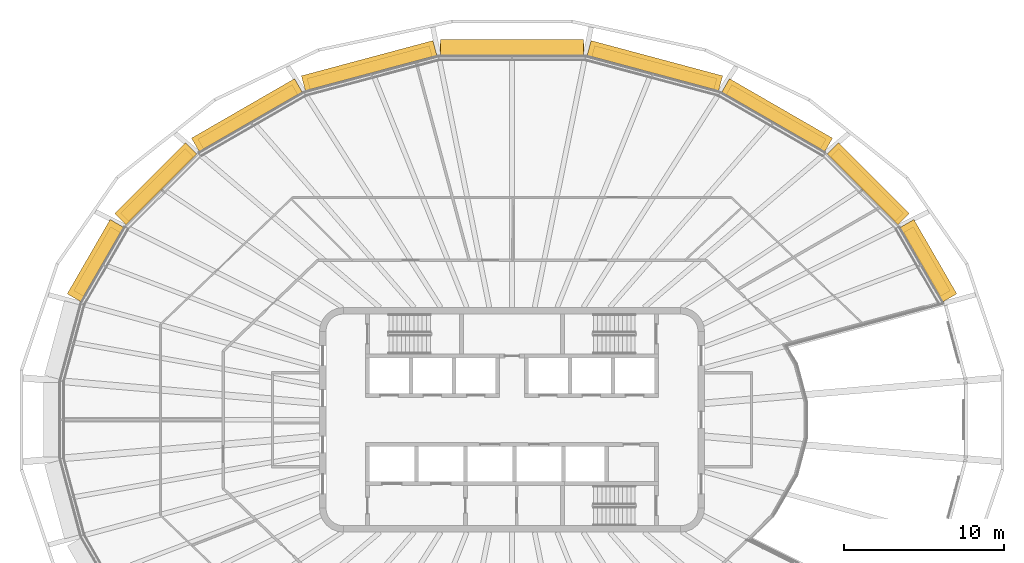
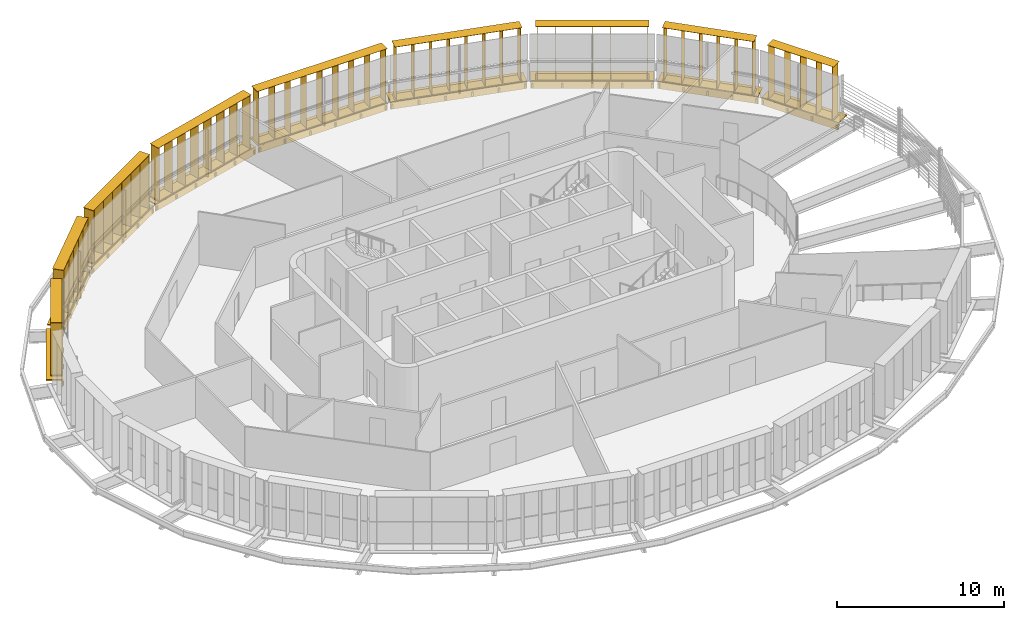
# One storey, part 17 of 17: 18 shading devices.
"""IFC4 building model written with IfcOpenShell, lengths in metres."""

from ifc_helpers import new_model, si_unit, direction, frame, origin, origin_2d, place, context, subcontext, project, spatial, rectangle, extrude, material, type_object, element, save


model = new_model("IFC4")

# Units and contexts
model_context = context("Model", 3, precision=1e-05, world=origin(), true_north=direction((0.0, 1.0)))
body_context = subcontext(model_context, "Body", "Model", "MODEL_VIEW")
ifc_project = project(units=[si_unit("LENGTHUNIT", "METRE"), si_unit("AREAUNIT", "SQUARE_METRE"), si_unit("VOLUMEUNIT", "CUBIC_METRE"), si_unit("PLANEANGLEUNIT", "RADIAN"), si_unit("MASSUNIT", "GRAM", prefix="KILO")], contexts=[model_context])

# Site, building, storey
site_placement = place(None, origin())
site = spatial("IfcSite", under=ifc_project, at=site_placement, CompositionType="ELEMENT")
building_placement = place(site_placement, origin())
building = spatial("IfcBuilding", under=site, at=building_placement, Name="Sahrelin Media Tower", CompositionType="ELEMENT")
storey_placement = place(building_placement, frame((0.0, 0.0, 291.0)))
storey = spatial("IfcBuildingStorey", under=building, at=storey_placement, Name="L64", CompositionType="ELEMENT", Elevation=291.0)

# Shading devices
ifc_material = material(Name="Champagne anodised aluminium 6063-T6", Category="aluminium")
shading_device_type_1 = type_object("IfcShadingDeviceType", Name="Fin cassette", PredefinedType="USERDEFINED", material=ifc_material)
placement_1 = place(storey_placement, frame((25.496826171875, 9.656494140625, 0.0), z_axis=(0.0, 0.0, 1.0), x_axis=(0.500011000363, -0.866019052629, 0.0)))
element("IfcShadingDevice", 1, at=placement_1, inside=storey, type_object=shading_device_type_1, Name="L64:FIN:L64-02", ObjectType="FIN", PredefinedType="USERDEFINED", context=body_context, shape_type="SweptSolid", body=[
    extrude(rectangle(XDim=4.60009765625, YDim=0.699951171875, at=origin_2d()), frame((0.0, 0.419921875, 0.0)), (0.0, 0.0, 1.0), 0.02001953125),
    extrude(rectangle(XDim=4.60009765625, YDim=0.699951171875, at=origin_2d()), frame((0.0, 0.419921875, 3.89990234375)), (0.0, 0.0, 1.0), 0.02001953125),
    extrude(rectangle(XDim=0.02001953125, YDim=0.699951171875, at=origin_2d()), frame((-2.199951171875, 0.419921875, 0.010009765625), z_axis=(0.0, 0.0, 1.0), x_axis=(1.0, 0.0, 0.0)), (0.0, 0.0, 1.0), 3.89990234375),
    extrude(rectangle(XDim=0.02001953125, YDim=0.699951171875, at=origin_2d()), frame((-1.10009765625, 0.419921875, 0.010009765625), z_axis=(0.0, 0.0, 1.0), x_axis=(1.0, 0.0, 0.0)), (0.0, 0.0, 1.0), 3.89990234375),
    extrude(rectangle(XDim=0.02001953125, YDim=0.699951171875, at=origin_2d()), frame((0.0, 0.419921875, 0.010009765625), z_axis=(0.0, 0.0, 1.0), x_axis=(1.0, 0.0, 0.0)), (0.0, 0.0, 1.0), 3.89990234375),
    extrude(rectangle(XDim=0.02001953125, YDim=0.699951171875, at=origin_2d()), frame((1.10009765625, 0.419921875, 0.010009765625), z_axis=(0.0, 0.0, 1.0), x_axis=(1.0, 0.0, 0.0)), (0.0, 0.0, 1.0), 3.89990234375),
    extrude(rectangle(XDim=0.02001953125, YDim=0.699951171875, at=origin_2d()), frame((2.199951171875, 0.419921875, 0.010009765625), z_axis=(0.0, 0.0, 1.0), x_axis=(1.0, 0.0, 0.0)), (0.0, 0.0, 1.0), 3.89990234375),
])
placement_2 = place(storey_placement, frame((21.829345703125, 14.339111328125, 0.0), z_axis=(0.0, 0.0, 1.0), x_axis=(0.707106781187, -0.707106781187, 0.0)))
element("IfcShadingDevice", 2, at=placement_2, inside=storey, type_object=shading_device_type_1, Name="L64:FIN:L64-03", ObjectType="FIN", PredefinedType="USERDEFINED", context=body_context, shape_type="SweptSolid", body=[
    extrude(rectangle(XDim=5.699951171875, YDim=0.699951171875, at=origin_2d()), frame((0.0, 0.419921875, 0.0)), (0.0, 0.0, 1.0), 0.02001953125),
    extrude(rectangle(XDim=5.699951171875, YDim=0.699951171875, at=origin_2d()), frame((0.0, 0.419921875, 3.89990234375)), (0.0, 0.0, 1.0), 0.02001953125),
    extrude(rectangle(XDim=0.02001953125, YDim=0.699951171875, at=origin_2d()), frame((-2.75, 0.419921875, 0.010009765625), z_axis=(0.0, 0.0, 1.0), x_axis=(1.0, 0.0, 0.0)), (0.0, 0.0, 1.0), 3.89990234375),
    extrude(rectangle(XDim=0.02001953125, YDim=0.699951171875, at=origin_2d()), frame((-1.64990234375, 0.419921875, 0.010009765625), z_axis=(0.0, 0.0, 1.0), x_axis=(1.0, 0.0, 0.0)), (0.0, 0.0, 1.0), 3.89990234375),
    extrude(rectangle(XDim=0.02001953125, YDim=0.699951171875, at=origin_2d()), frame((-0.550048828125, 0.419921875, 0.010009765625), z_axis=(0.0, 0.0, 1.0), x_axis=(1.0, 0.0, 0.0)), (0.0, 0.0, 1.0), 3.89990234375),
    extrude(rectangle(XDim=0.02001953125, YDim=0.699951171875, at=origin_2d()), frame((0.550048828125, 0.419921875, 0.010009765625), z_axis=(0.0, 0.0, 1.0), x_axis=(1.0, 0.0, 0.0)), (0.0, 0.0, 1.0), 3.89990234375),
    extrude(rectangle(XDim=0.02001953125, YDim=0.699951171875, at=origin_2d()), frame((1.64990234375, 0.419921875, 0.010009765625), z_axis=(0.0, 0.0, 1.0), x_axis=(1.0, 0.0, 0.0)), (0.0, 0.0, 1.0), 3.89990234375),
    extrude(rectangle(XDim=0.02001953125, YDim=0.699951171875, at=origin_2d()), frame((2.75, 0.419921875, 0.010009765625), z_axis=(0.0, 0.0, 1.0), x_axis=(1.0, 0.0, 0.0)), (0.0, 0.0, 1.0), 3.89990234375),
])
placement_3 = place(storey_placement, frame((16.25341796875, 18.522216796875, 0.0), z_axis=(0.0, 0.0, 1.0), x_axis=(0.866019052629, -0.500011000363, 0.0)))
element("IfcShadingDevice", 3, at=placement_3, inside=storey, type_object=shading_device_type_1, Name="L64:FIN:L64-04", ObjectType="FIN", PredefinedType="USERDEFINED", context=body_context, shape_type="SweptSolid", body=[
    extrude(rectangle(XDim=6.800048828125, YDim=0.699951171875, at=origin_2d()), frame((0.0, 0.419921875, 0.0)), (0.0, 0.0, 1.0), 0.02001953125),
    extrude(rectangle(XDim=6.800048828125, YDim=0.699951171875, at=origin_2d()), frame((0.0, 0.419921875, 3.89990234375)), (0.0, 0.0, 1.0), 0.02001953125),
    extrude(rectangle(XDim=0.02001953125, YDim=0.699951171875, at=origin_2d()), frame((-3.300048828125, 0.419921875, 0.010009765625), z_axis=(0.0, 0.0, 1.0), x_axis=(1.0, 0.0, 0.0)), (0.0, 0.0, 1.0), 3.89990234375),
    extrude(rectangle(XDim=0.02001953125, YDim=0.699951171875, at=origin_2d()), frame((-2.199951171875, 0.419921875, 0.010009765625), z_axis=(0.0, 0.0, 1.0), x_axis=(1.0, 0.0, 0.0)), (0.0, 0.0, 1.0), 3.89990234375),
    extrude(rectangle(XDim=0.02001953125, YDim=0.699951171875, at=origin_2d()), frame((-1.10009765625, 0.419921875, 0.010009765625), z_axis=(0.0, 0.0, 1.0), x_axis=(1.0, 0.0, 0.0)), (0.0, 0.0, 1.0), 3.89990234375),
    extrude(rectangle(XDim=0.02001953125, YDim=0.699951171875, at=origin_2d()), frame((0.0, 0.419921875, 0.010009765625), z_axis=(0.0, 0.0, 1.0), x_axis=(1.0, 0.0, 0.0)), (0.0, 0.0, 1.0), 3.89990234375),
    extrude(rectangle(XDim=0.02001953125, YDim=0.699951171875, at=origin_2d()), frame((1.10009765625, 0.419921875, 0.010009765625), z_axis=(0.0, 0.0, 1.0), x_axis=(1.0, 0.0, 0.0)), (0.0, 0.0, 1.0), 3.89990234375),
    extrude(rectangle(XDim=0.02001953125, YDim=0.699951171875, at=origin_2d()), frame((2.199951171875, 0.419921875, 0.010009765625), z_axis=(0.0, 0.0, 1.0), x_axis=(1.0, 0.0, 0.0)), (0.0, 0.0, 1.0), 3.89990234375),
    extrude(rectangle(XDim=0.02001953125, YDim=0.699951171875, at=origin_2d()), frame((3.300048828125, 0.419921875, 0.010009765625), z_axis=(0.0, 0.0, 1.0), x_axis=(1.0, 0.0, 0.0)), (0.0, 0.0, 1.0), 3.89990234375),
])
placement_4 = place(storey_placement, frame((8.763671875, 21.548828125, 0.0), z_axis=(0.0, 0.0, 1.0), x_axis=(0.965928857556, -0.258807731996, 0.0)))
element("IfcShadingDevice", 4, at=placement_4, inside=storey, type_object=shading_device_type_1, Name="L64:FIN:L64-05", ObjectType="FIN", PredefinedType="USERDEFINED", context=body_context, shape_type="SweptSolid", body=[
    extrude(rectangle(XDim=7.89990234375, YDim=0.699951171875, at=origin_2d()), frame((0.0, 0.419921875, 0.0)), (0.0, 0.0, 1.0), 0.02001953125),
    extrude(rectangle(XDim=7.89990234375, YDim=0.699951171875, at=origin_2d()), frame((0.0, 0.419921875, 3.89990234375)), (0.0, 0.0, 1.0), 0.02001953125),
    extrude(rectangle(XDim=0.02001953125, YDim=0.699951171875, at=origin_2d()), frame((-3.85009765625, 0.419921875, 0.010009765625), z_axis=(0.0, 0.0, 1.0), x_axis=(1.0, 0.0, 0.0)), (0.0, 0.0, 1.0), 3.89990234375),
    extrude(rectangle(XDim=0.02001953125, YDim=0.699951171875, at=origin_2d()), frame((-2.75, 0.419921875, 0.010009765625), z_axis=(0.0, 0.0, 1.0), x_axis=(1.0, 0.0, 0.0)), (0.0, 0.0, 1.0), 3.89990234375),
    extrude(rectangle(XDim=0.02001953125, YDim=0.699951171875, at=origin_2d()), frame((-1.64990234375, 0.419921875, 0.010009765625), z_axis=(0.0, 0.0, 1.0), x_axis=(1.0, 0.0, 0.0)), (0.0, 0.0, 1.0), 3.89990234375),
    extrude(rectangle(XDim=0.02001953125, YDim=0.699951171875, at=origin_2d()), frame((-0.550048828125, 0.419921875, 0.010009765625), z_axis=(0.0, 0.0, 1.0), x_axis=(1.0, 0.0, 0.0)), (0.0, 0.0, 1.0), 3.89990234375),
    extrude(rectangle(XDim=0.02001953125, YDim=0.699951171875, at=origin_2d()), frame((0.550048828125, 0.419921875, 0.010009765625), z_axis=(0.0, 0.0, 1.0), x_axis=(1.0, 0.0, 0.0)), (0.0, 0.0, 1.0), 3.89990234375),
    extrude(rectangle(XDim=0.02001953125, YDim=0.699951171875, at=origin_2d()), frame((1.64990234375, 0.419921875, 0.010009765625), z_axis=(0.0, 0.0, 1.0), x_axis=(1.0, 0.0, 0.0)), (0.0, 0.0, 1.0), 3.89990234375),
    extrude(rectangle(XDim=0.02001953125, YDim=0.699951171875, at=origin_2d()), frame((2.75, 0.419921875, 0.010009765625), z_axis=(0.0, 0.0, 1.0), x_axis=(1.0, 0.0, 0.0)), (0.0, 0.0, 1.0), 3.89990234375),
    extrude(rectangle(XDim=0.02001953125, YDim=0.699951171875, at=origin_2d()), frame((3.85009765625, 0.419921875, 0.010009765625), z_axis=(0.0, 0.0, 1.0), x_axis=(1.0, 0.0, 0.0)), (0.0, 0.0, 1.0), 3.89990234375),
])
placement_5 = place(storey_placement, frame((0.0, 22.672607421875, 0.0), z_axis=(0.0, 0.0, 1.0), x_axis=(1.0, 0.0, 0.0)))
element("IfcShadingDevice", 5, at=placement_5, inside=storey, type_object=shading_device_type_1, Name="L64:FIN:L64-06", ObjectType="FIN", PredefinedType="USERDEFINED", context=body_context, shape_type="SweptSolid", body=[
    extrude(rectangle(XDim=9.0, YDim=0.699951171875, at=origin_2d()), frame((0.0, 0.419921875, 0.0)), (0.0, 0.0, 1.0), 0.02001953125),
    extrude(rectangle(XDim=9.0, YDim=0.699951171875, at=origin_2d()), frame((0.0, 0.419921875, 3.89990234375)), (0.0, 0.0, 1.0), 0.02001953125),
    extrude(rectangle(XDim=0.02001953125, YDim=0.699951171875, at=origin_2d()), frame((-4.39990234375, 0.419921875, 0.010009765625), z_axis=(0.0, 0.0, 1.0), x_axis=(1.0, 0.0, 0.0)), (0.0, 0.0, 1.0), 3.89990234375),
    extrude(rectangle(XDim=0.02001953125, YDim=0.699951171875, at=origin_2d()), frame((-3.300048828125, 0.419921875, 0.010009765625), z_axis=(0.0, 0.0, 1.0), x_axis=(1.0, 0.0, 0.0)), (0.0, 0.0, 1.0), 3.89990234375),
    extrude(rectangle(XDim=0.02001953125, YDim=0.699951171875, at=origin_2d()), frame((-2.199951171875, 0.419921875, 0.010009765625), z_axis=(0.0, 0.0, 1.0), x_axis=(1.0, 0.0, 0.0)), (0.0, 0.0, 1.0), 3.89990234375),
    extrude(rectangle(XDim=0.02001953125, YDim=0.699951171875, at=origin_2d()), frame((-1.10009765625, 0.419921875, 0.010009765625), z_axis=(0.0, 0.0, 1.0), x_axis=(1.0, 0.0, 0.0)), (0.0, 0.0, 1.0), 3.89990234375),
    extrude(rectangle(XDim=0.02001953125, YDim=0.699951171875, at=origin_2d()), frame((0.0, 0.419921875, 0.010009765625), z_axis=(0.0, 0.0, 1.0), x_axis=(1.0, 0.0, 0.0)), (0.0, 0.0, 1.0), 3.89990234375),
    extrude(rectangle(XDim=0.02001953125, YDim=0.699951171875, at=origin_2d()), frame((1.10009765625, 0.419921875, 0.010009765625), z_axis=(0.0, 0.0, 1.0), x_axis=(1.0, 0.0, 0.0)), (0.0, 0.0, 1.0), 3.89990234375),
    extrude(rectangle(XDim=0.02001953125, YDim=0.699951171875, at=origin_2d()), frame((2.199951171875, 0.419921875, 0.010009765625), z_axis=(0.0, 0.0, 1.0), x_axis=(1.0, 0.0, 0.0)), (0.0, 0.0, 1.0), 3.89990234375),
    extrude(rectangle(XDim=0.02001953125, YDim=0.699951171875, at=origin_2d()), frame((3.300048828125, 0.419921875, 0.010009765625), z_axis=(0.0, 0.0, 1.0), x_axis=(1.0, 0.0, 0.0)), (0.0, 0.0, 1.0), 3.89990234375),
    extrude(rectangle(XDim=0.02001953125, YDim=0.699951171875, at=origin_2d()), frame((4.39990234375, 0.419921875, 0.010009765625), z_axis=(0.0, 0.0, 1.0), x_axis=(1.0, 0.0, 0.0)), (0.0, 0.0, 1.0), 3.89990234375),
])
placement_6 = place(storey_placement, frame((-8.763427734375, 21.548828125, 0.0), z_axis=(0.0, 0.0, 1.0), x_axis=(0.965928857556, 0.258807731996, 0.0)))
element("IfcShadingDevice", 6, at=placement_6, inside=storey, type_object=shading_device_type_1, Name="L64:FIN:L64-07", ObjectType="FIN", PredefinedType="USERDEFINED", context=body_context, shape_type="SweptSolid", body=[
    extrude(rectangle(XDim=7.89990234375, YDim=0.699951171875, at=origin_2d()), frame((0.0, 0.419921875, 0.0)), (0.0, 0.0, 1.0), 0.02001953125),
    extrude(rectangle(XDim=7.89990234375, YDim=0.699951171875, at=origin_2d()), frame((0.0, 0.419921875, 3.89990234375)), (0.0, 0.0, 1.0), 0.02001953125),
    extrude(rectangle(XDim=0.02001953125, YDim=0.699951171875, at=origin_2d()), frame((-3.85009765625, 0.419921875, 0.010009765625), z_axis=(0.0, 0.0, 1.0), x_axis=(1.0, 0.0, 0.0)), (0.0, 0.0, 1.0), 3.89990234375),
    extrude(rectangle(XDim=0.02001953125, YDim=0.699951171875, at=origin_2d()), frame((-2.75, 0.419921875, 0.010009765625), z_axis=(0.0, 0.0, 1.0), x_axis=(1.0, 0.0, 0.0)), (0.0, 0.0, 1.0), 3.89990234375),
    extrude(rectangle(XDim=0.02001953125, YDim=0.699951171875, at=origin_2d()), frame((-1.64990234375, 0.419921875, 0.010009765625), z_axis=(0.0, 0.0, 1.0), x_axis=(1.0, 0.0, 0.0)), (0.0, 0.0, 1.0), 3.89990234375),
    extrude(rectangle(XDim=0.02001953125, YDim=0.699951171875, at=origin_2d()), frame((-0.550048828125, 0.419921875, 0.010009765625), z_axis=(0.0, 0.0, 1.0), x_axis=(1.0, 0.0, 0.0)), (0.0, 0.0, 1.0), 3.89990234375),
    extrude(rectangle(XDim=0.02001953125, YDim=0.699951171875, at=origin_2d()), frame((0.550048828125, 0.419921875, 0.010009765625), z_axis=(0.0, 0.0, 1.0), x_axis=(1.0, 0.0, 0.0)), (0.0, 0.0, 1.0), 3.89990234375),
    extrude(rectangle(XDim=0.02001953125, YDim=0.699951171875, at=origin_2d()), frame((1.64990234375, 0.419921875, 0.010009765625), z_axis=(0.0, 0.0, 1.0), x_axis=(1.0, 0.0, 0.0)), (0.0, 0.0, 1.0), 3.89990234375),
    extrude(rectangle(XDim=0.02001953125, YDim=0.699951171875, at=origin_2d()), frame((2.75, 0.419921875, 0.010009765625), z_axis=(0.0, 0.0, 1.0), x_axis=(1.0, 0.0, 0.0)), (0.0, 0.0, 1.0), 3.89990234375),
    extrude(rectangle(XDim=0.02001953125, YDim=0.699951171875, at=origin_2d()), frame((3.85009765625, 0.419921875, 0.010009765625), z_axis=(0.0, 0.0, 1.0), x_axis=(1.0, 0.0, 0.0)), (0.0, 0.0, 1.0), 3.89990234375),
])
placement_7 = place(storey_placement, frame((-16.25341796875, 18.522216796875, 0.0), z_axis=(0.0, 0.0, 1.0), x_axis=(0.866019052629, 0.500011000363, 0.0)))
element("IfcShadingDevice", 7, at=placement_7, inside=storey, type_object=shading_device_type_1, Name="L64:FIN:L64-08", ObjectType="FIN", PredefinedType="USERDEFINED", context=body_context, shape_type="SweptSolid", body=[
    extrude(rectangle(XDim=6.800048828125, YDim=0.699951171875, at=origin_2d()), frame((0.0, 0.419921875, 0.0)), (0.0, 0.0, 1.0), 0.02001953125),
    extrude(rectangle(XDim=6.800048828125, YDim=0.699951171875, at=origin_2d()), frame((0.0, 0.419921875, 3.89990234375)), (0.0, 0.0, 1.0), 0.02001953125),
    extrude(rectangle(XDim=0.02001953125, YDim=0.699951171875, at=origin_2d()), frame((-3.300048828125, 0.419921875, 0.010009765625), z_axis=(0.0, 0.0, 1.0), x_axis=(1.0, 0.0, 0.0)), (0.0, 0.0, 1.0), 3.89990234375),
    extrude(rectangle(XDim=0.02001953125, YDim=0.699951171875, at=origin_2d()), frame((-2.199951171875, 0.419921875, 0.010009765625), z_axis=(0.0, 0.0, 1.0), x_axis=(1.0, 0.0, 0.0)), (0.0, 0.0, 1.0), 3.89990234375),
    extrude(rectangle(XDim=0.02001953125, YDim=0.699951171875, at=origin_2d()), frame((-1.10009765625, 0.419921875, 0.010009765625), z_axis=(0.0, 0.0, 1.0), x_axis=(1.0, 0.0, 0.0)), (0.0, 0.0, 1.0), 3.89990234375),
    extrude(rectangle(XDim=0.02001953125, YDim=0.699951171875, at=origin_2d()), frame((0.0, 0.419921875, 0.010009765625), z_axis=(0.0, 0.0, 1.0), x_axis=(1.0, 0.0, 0.0)), (0.0, 0.0, 1.0), 3.89990234375),
    extrude(rectangle(XDim=0.02001953125, YDim=0.699951171875, at=origin_2d()), frame((1.10009765625, 0.419921875, 0.010009765625), z_axis=(0.0, 0.0, 1.0), x_axis=(1.0, 0.0, 0.0)), (0.0, 0.0, 1.0), 3.89990234375),
    extrude(rectangle(XDim=0.02001953125, YDim=0.699951171875, at=origin_2d()), frame((2.199951171875, 0.419921875, 0.010009765625), z_axis=(0.0, 0.0, 1.0), x_axis=(1.0, 0.0, 0.0)), (0.0, 0.0, 1.0), 3.89990234375),
    extrude(rectangle(XDim=0.02001953125, YDim=0.699951171875, at=origin_2d()), frame((3.300048828125, 0.419921875, 0.010009765625), z_axis=(0.0, 0.0, 1.0), x_axis=(1.0, 0.0, 0.0)), (0.0, 0.0, 1.0), 3.89990234375),
])
placement_8 = place(storey_placement, frame((-21.829345703125, 14.339111328125, 0.0), z_axis=(0.0, 0.0, 1.0), x_axis=(0.707106781187, 0.707106781187, 0.0)))
element("IfcShadingDevice", 8, at=placement_8, inside=storey, type_object=shading_device_type_1, Name="L64:FIN:L64-09", ObjectType="FIN", PredefinedType="USERDEFINED", context=body_context, shape_type="SweptSolid", body=[
    extrude(rectangle(XDim=5.699951171875, YDim=0.699951171875, at=origin_2d()), frame((0.0, 0.419921875, 0.0)), (0.0, 0.0, 1.0), 0.02001953125),
    extrude(rectangle(XDim=5.699951171875, YDim=0.699951171875, at=origin_2d()), frame((0.0, 0.419921875, 3.89990234375)), (0.0, 0.0, 1.0), 0.02001953125),
    extrude(rectangle(XDim=0.02001953125, YDim=0.699951171875, at=origin_2d()), frame((-2.75, 0.419921875, 0.010009765625), z_axis=(0.0, 0.0, 1.0), x_axis=(1.0, 0.0, 0.0)), (0.0, 0.0, 1.0), 3.89990234375),
    extrude(rectangle(XDim=0.02001953125, YDim=0.699951171875, at=origin_2d()), frame((-1.64990234375, 0.419921875, 0.010009765625), z_axis=(0.0, 0.0, 1.0), x_axis=(1.0, 0.0, 0.0)), (0.0, 0.0, 1.0), 3.89990234375),
    extrude(rectangle(XDim=0.02001953125, YDim=0.699951171875, at=origin_2d()), frame((-0.550048828125, 0.419921875, 0.010009765625), z_axis=(0.0, 0.0, 1.0), x_axis=(1.0, 0.0, 0.0)), (0.0, 0.0, 1.0), 3.89990234375),
    extrude(rectangle(XDim=0.02001953125, YDim=0.699951171875, at=origin_2d()), frame((0.550048828125, 0.419921875, 0.010009765625), z_axis=(0.0, 0.0, 1.0), x_axis=(1.0, 0.0, 0.0)), (0.0, 0.0, 1.0), 3.89990234375),
    extrude(rectangle(XDim=0.02001953125, YDim=0.699951171875, at=origin_2d()), frame((1.64990234375, 0.419921875, 0.010009765625), z_axis=(0.0, 0.0, 1.0), x_axis=(1.0, 0.0, 0.0)), (0.0, 0.0, 1.0), 3.89990234375),
    extrude(rectangle(XDim=0.02001953125, YDim=0.699951171875, at=origin_2d()), frame((2.75, 0.419921875, 0.010009765625), z_axis=(0.0, 0.0, 1.0), x_axis=(1.0, 0.0, 0.0)), (0.0, 0.0, 1.0), 3.89990234375),
])
placement_9 = place(storey_placement, frame((-25.49658203125, 9.656494140625, 0.0), z_axis=(0.0, 0.0, 1.0), x_axis=(0.500011000363, 0.866019052629, 0.0)))
element("IfcShadingDevice", 9, at=placement_9, inside=storey, type_object=shading_device_type_1, Name="L64:FIN:L64-10", ObjectType="FIN", PredefinedType="USERDEFINED", context=body_context, shape_type="SweptSolid", body=[
    extrude(rectangle(XDim=4.60009765625, YDim=0.699951171875, at=origin_2d()), frame((0.0, 0.419921875, 0.0)), (0.0, 0.0, 1.0), 0.02001953125),
    extrude(rectangle(XDim=4.60009765625, YDim=0.699951171875, at=origin_2d()), frame((0.0, 0.419921875, 3.89990234375)), (0.0, 0.0, 1.0), 0.02001953125),
    extrude(rectangle(XDim=0.02001953125, YDim=0.699951171875, at=origin_2d()), frame((-2.199951171875, 0.419921875, 0.010009765625), z_axis=(0.0, 0.0, 1.0), x_axis=(1.0, 0.0, 0.0)), (0.0, 0.0, 1.0), 3.89990234375),
    extrude(rectangle(XDim=0.02001953125, YDim=0.699951171875, at=origin_2d()), frame((-1.10009765625, 0.419921875, 0.010009765625), z_axis=(0.0, 0.0, 1.0), x_axis=(1.0, 0.0, 0.0)), (0.0, 0.0, 1.0), 3.89990234375),
    extrude(rectangle(XDim=0.02001953125, YDim=0.699951171875, at=origin_2d()), frame((0.0, 0.419921875, 0.010009765625), z_axis=(0.0, 0.0, 1.0), x_axis=(1.0, 0.0, 0.0)), (0.0, 0.0, 1.0), 3.89990234375),
    extrude(rectangle(XDim=0.02001953125, YDim=0.699951171875, at=origin_2d()), frame((1.10009765625, 0.419921875, 0.010009765625), z_axis=(0.0, 0.0, 1.0), x_axis=(1.0, 0.0, 0.0)), (0.0, 0.0, 1.0), 3.89990234375),
    extrude(rectangle(XDim=0.02001953125, YDim=0.699951171875, at=origin_2d()), frame((2.199951171875, 0.419921875, 0.010009765625), z_axis=(0.0, 0.0, 1.0), x_axis=(1.0, 0.0, 0.0)), (0.0, 0.0, 1.0), 3.89990234375),
])
shading_device_type_2 = type_object("IfcShadingDeviceType", Name="Sunshade band", PredefinedType="USERDEFINED", material=ifc_material)
element("IfcShadingDevice", 10, at=placement_1, inside=storey, type_object=shading_device_type_2, Name="L64:SUN:L64-02", ObjectType="SUNSHADE", PredefinedType="USERDEFINED", context=body_context, shape_type="SweptSolid", body=[
    extrude(rectangle(XDim=5.347900390625, YDim=0.050048828125, at=origin_2d()), frame((0.0, 0.044921875, -0.55126953125)), (0.0, 0.0, 1.0), 0.471435546875),
    extrude(rectangle(XDim=5.347900390625, YDim=1.0, at=origin_2d()), frame((0.0, 0.52001953125, -0.080078125)), (0.0, 0.0, 1.0), 0.080078125),
    extrude(rectangle(XDim=0.10009765625, YDim=0.074951171875, at=origin_2d()), frame((-2.573974609375, -0.017578125, -0.47021484375)), (0.0, 0.0, 1.0), 0.300048828125),
    extrude(rectangle(XDim=0.10009765625, YDim=0.074951171875, at=origin_2d()), frame((-0.85791015625, -0.017578125, -0.47021484375)), (0.0, 0.0, 1.0), 0.300048828125),
    extrude(rectangle(XDim=0.10009765625, YDim=0.074951171875, at=origin_2d()), frame((0.85791015625, -0.017578125, -0.47021484375)), (0.0, 0.0, 1.0), 0.300048828125),
    extrude(rectangle(XDim=0.10009765625, YDim=0.074951171875, at=origin_2d()), frame((2.573974609375, -0.017578125, -0.47021484375)), (0.0, 0.0, 1.0), 0.300048828125),
])
element("IfcShadingDevice", 11, at=placement_2, inside=storey, type_object=shading_device_type_2, Name="L64:SUN:L64-03", ObjectType="SUNSHADE", PredefinedType="USERDEFINED", context=body_context, shape_type="SweptSolid", body=[
    extrude(rectangle(XDim=6.25, YDim=0.050048828125, at=origin_2d()), frame((0.0, 0.044921875, -0.55126953125)), (0.0, 0.0, 1.0), 0.471435546875),
    extrude(rectangle(XDim=6.25, YDim=1.0, at=origin_2d()), frame((0.0, 0.52001953125, -0.080078125)), (0.0, 0.0, 1.0), 0.080078125),
    extrude(rectangle(XDim=0.10009765625, YDim=0.074951171875, at=origin_2d()), frame((-3.02490234375, -0.017578125, -0.47021484375)), (0.0, 0.0, 1.0), 0.300048828125),
    extrude(rectangle(XDim=0.10009765625, YDim=0.074951171875, at=origin_2d()), frame((-1.512451171875, -0.017578125, -0.47021484375)), (0.0, 0.0, 1.0), 0.300048828125),
    extrude(rectangle(XDim=0.10009765625, YDim=0.074951171875, at=origin_2d()), frame((0.0, -0.017578125, -0.47021484375)), (0.0, 0.0, 1.0), 0.300048828125),
    extrude(rectangle(XDim=0.10009765625, YDim=0.074951171875, at=origin_2d()), frame((1.512451171875, -0.017578125, -0.47021484375)), (0.0, 0.0, 1.0), 0.300048828125),
    extrude(rectangle(XDim=0.10009765625, YDim=0.074951171875, at=origin_2d()), frame((3.02490234375, -0.017578125, -0.47021484375)), (0.0, 0.0, 1.0), 0.300048828125),
])
element("IfcShadingDevice", 12, at=placement_3, inside=storey, type_object=shading_device_type_2, Name="L64:SUN:L64-04", ObjectType="SUNSHADE", PredefinedType="USERDEFINED", context=body_context, shape_type="SweptSolid", body=[
    extrude(rectangle(XDim=7.41064453125, YDim=0.050048828125, at=origin_2d()), frame((0.0, 0.044921875, -0.55126953125)), (0.0, 0.0, 1.0), 0.471435546875),
    extrude(rectangle(XDim=7.41064453125, YDim=1.0, at=origin_2d()), frame((0.0, 0.52001953125, -0.080078125)), (0.0, 0.0, 1.0), 0.080078125),
    extrude(rectangle(XDim=0.10009765625, YDim=0.074951171875, at=origin_2d()), frame((-3.605224609375, -0.017578125, -0.47021484375)), (0.0, 0.0, 1.0), 0.300048828125),
    extrude(rectangle(XDim=0.10009765625, YDim=0.074951171875, at=origin_2d()), frame((-1.802734375, -0.017578125, -0.47021484375)), (0.0, 0.0, 1.0), 0.300048828125),
    extrude(rectangle(XDim=0.10009765625, YDim=0.074951171875, at=origin_2d()), frame((0.0, -0.017578125, -0.47021484375)), (0.0, 0.0, 1.0), 0.300048828125),
    extrude(rectangle(XDim=0.10009765625, YDim=0.074951171875, at=origin_2d()), frame((1.802734375, -0.017578125, -0.47021484375)), (0.0, 0.0, 1.0), 0.300048828125),
    extrude(rectangle(XDim=0.10009765625, YDim=0.074951171875, at=origin_2d()), frame((3.605224609375, -0.017578125, -0.47021484375)), (0.0, 0.0, 1.0), 0.300048828125),
])
element("IfcShadingDevice", 13, at=placement_4, inside=storey, type_object=shading_device_type_2, Name="L64:SUN:L64-05", ObjectType="SUNSHADE", PredefinedType="USERDEFINED", context=body_context, shape_type="SweptSolid", body=[
    extrude(rectangle(XDim=8.48486328125, YDim=0.050048828125, at=origin_2d()), frame((0.0, 0.044921875, -0.55126953125)), (0.0, 0.0, 1.0), 0.471435546875),
    extrude(rectangle(XDim=8.48486328125, YDim=1.0, at=origin_2d()), frame((0.0, 0.52001953125, -0.080078125)), (0.0, 0.0, 1.0), 0.080078125),
    extrude(rectangle(XDim=0.10009765625, YDim=0.074951171875, at=origin_2d()), frame((-4.142333984375, -0.017578125, -0.47021484375)), (0.0, 0.0, 1.0), 0.300048828125),
    extrude(rectangle(XDim=0.10009765625, YDim=0.074951171875, at=origin_2d()), frame((-2.4853515625, -0.017578125, -0.47021484375)), (0.0, 0.0, 1.0), 0.300048828125),
    extrude(rectangle(XDim=0.10009765625, YDim=0.074951171875, at=origin_2d()), frame((-0.82861328125, -0.017578125, -0.47021484375)), (0.0, 0.0, 1.0), 0.300048828125),
    extrude(rectangle(XDim=0.10009765625, YDim=0.074951171875, at=origin_2d()), frame((0.82861328125, -0.017578125, -0.47021484375)), (0.0, 0.0, 1.0), 0.300048828125),
    extrude(rectangle(XDim=0.10009765625, YDim=0.074951171875, at=origin_2d()), frame((2.4853515625, -0.017578125, -0.47021484375)), (0.0, 0.0, 1.0), 0.300048828125),
    extrude(rectangle(XDim=0.10009765625, YDim=0.074951171875, at=origin_2d()), frame((4.142333984375, -0.017578125, -0.47021484375)), (0.0, 0.0, 1.0), 0.300048828125),
])
element("IfcShadingDevice", 14, at=placement_5, inside=storey, type_object=shading_device_type_2, Name="L64:SUN:L64-06", ObjectType="SUNSHADE", PredefinedType="USERDEFINED", context=body_context, shape_type="SweptSolid", body=[
    extrude(rectangle(XDim=8.938232421875, YDim=0.050048828125, at=origin_2d()), frame((0.0, 0.044921875, -0.55126953125)), (0.0, 0.0, 1.0), 0.471435546875),
    extrude(rectangle(XDim=8.938232421875, YDim=1.0, at=origin_2d()), frame((0.0, 0.52001953125, -0.080078125)), (0.0, 0.0, 1.0), 0.080078125),
    extrude(rectangle(XDim=0.10009765625, YDim=0.074951171875, at=origin_2d()), frame((-4.369140625, -0.017578125, -0.47021484375)), (0.0, 0.0, 1.0), 0.300048828125),
    extrude(rectangle(XDim=0.10009765625, YDim=0.074951171875, at=origin_2d()), frame((-2.62158203125, -0.017578125, -0.47021484375)), (0.0, 0.0, 1.0), 0.300048828125),
    extrude(rectangle(XDim=0.10009765625, YDim=0.074951171875, at=origin_2d()), frame((-0.873779296875, -0.017578125, -0.47021484375)), (0.0, 0.0, 1.0), 0.300048828125),
    extrude(rectangle(XDim=0.10009765625, YDim=0.074951171875, at=origin_2d()), frame((0.873779296875, -0.017578125, -0.47021484375)), (0.0, 0.0, 1.0), 0.300048828125),
    extrude(rectangle(XDim=0.10009765625, YDim=0.074951171875, at=origin_2d()), frame((2.62158203125, -0.017578125, -0.47021484375)), (0.0, 0.0, 1.0), 0.300048828125),
    extrude(rectangle(XDim=0.10009765625, YDim=0.074951171875, at=origin_2d()), frame((4.369140625, -0.017578125, -0.47021484375)), (0.0, 0.0, 1.0), 0.300048828125),
])
element("IfcShadingDevice", 15, at=placement_6, inside=storey, type_object=shading_device_type_2, Name="L64:SUN:L64-07", ObjectType="SUNSHADE", PredefinedType="USERDEFINED", context=body_context, shape_type="SweptSolid", body=[
    extrude(rectangle(XDim=8.48486328125, YDim=0.050048828125, at=origin_2d()), frame((0.0, 0.044921875, -0.55126953125)), (0.0, 0.0, 1.0), 0.471435546875),
    extrude(rectangle(XDim=8.48486328125, YDim=1.0, at=origin_2d()), frame((0.0, 0.52001953125, -0.080078125)), (0.0, 0.0, 1.0), 0.080078125),
    extrude(rectangle(XDim=0.10009765625, YDim=0.074951171875, at=origin_2d()), frame((-4.142333984375, -0.017578125, -0.47021484375)), (0.0, 0.0, 1.0), 0.300048828125),
    extrude(rectangle(XDim=0.10009765625, YDim=0.074951171875, at=origin_2d()), frame((-2.4853515625, -0.017578125, -0.47021484375)), (0.0, 0.0, 1.0), 0.300048828125),
    extrude(rectangle(XDim=0.10009765625, YDim=0.074951171875, at=origin_2d()), frame((-0.82861328125, -0.017578125, -0.47021484375)), (0.0, 0.0, 1.0), 0.300048828125),
    extrude(rectangle(XDim=0.10009765625, YDim=0.074951171875, at=origin_2d()), frame((0.82861328125, -0.017578125, -0.47021484375)), (0.0, 0.0, 1.0), 0.300048828125),
    extrude(rectangle(XDim=0.10009765625, YDim=0.074951171875, at=origin_2d()), frame((2.4853515625, -0.017578125, -0.47021484375)), (0.0, 0.0, 1.0), 0.300048828125),
    extrude(rectangle(XDim=0.10009765625, YDim=0.074951171875, at=origin_2d()), frame((4.142333984375, -0.017578125, -0.47021484375)), (0.0, 0.0, 1.0), 0.300048828125),
])
element("IfcShadingDevice", 16, at=placement_7, inside=storey, type_object=shading_device_type_2, Name="L64:SUN:L64-08", ObjectType="SUNSHADE", PredefinedType="USERDEFINED", context=body_context, shape_type="SweptSolid", body=[
    extrude(rectangle(XDim=7.41064453125, YDim=0.050048828125, at=origin_2d()), frame((0.0, 0.044921875, -0.55126953125)), (0.0, 0.0, 1.0), 0.471435546875),
    extrude(rectangle(XDim=7.41064453125, YDim=1.0, at=origin_2d()), frame((0.0, 0.52001953125, -0.080078125)), (0.0, 0.0, 1.0), 0.080078125),
    extrude(rectangle(XDim=0.10009765625, YDim=0.074951171875, at=origin_2d()), frame((-3.605224609375, -0.017578125, -0.47021484375)), (0.0, 0.0, 1.0), 0.300048828125),
    extrude(rectangle(XDim=0.10009765625, YDim=0.074951171875, at=origin_2d()), frame((-1.802734375, -0.017578125, -0.47021484375)), (0.0, 0.0, 1.0), 0.300048828125),
    extrude(rectangle(XDim=0.10009765625, YDim=0.074951171875, at=origin_2d()), frame((0.0, -0.017578125, -0.47021484375)), (0.0, 0.0, 1.0), 0.300048828125),
    extrude(rectangle(XDim=0.10009765625, YDim=0.074951171875, at=origin_2d()), frame((1.802734375, -0.017578125, -0.47021484375)), (0.0, 0.0, 1.0), 0.300048828125),
    extrude(rectangle(XDim=0.10009765625, YDim=0.074951171875, at=origin_2d()), frame((3.605224609375, -0.017578125, -0.47021484375)), (0.0, 0.0, 1.0), 0.300048828125),
])
element("IfcShadingDevice", 17, at=placement_8, inside=storey, type_object=shading_device_type_2, Name="L64:SUN:L64-09", ObjectType="SUNSHADE", PredefinedType="USERDEFINED", context=body_context, shape_type="SweptSolid", body=[
    extrude(rectangle(XDim=6.25, YDim=0.050048828125, at=origin_2d()), frame((0.0, 0.044921875, -0.55126953125)), (0.0, 0.0, 1.0), 0.471435546875),
    extrude(rectangle(XDim=6.25, YDim=1.0, at=origin_2d()), frame((0.0, 0.52001953125, -0.080078125)), (0.0, 0.0, 1.0), 0.080078125),
    extrude(rectangle(XDim=0.10009765625, YDim=0.074951171875, at=origin_2d()), frame((-3.02490234375, -0.017578125, -0.47021484375)), (0.0, 0.0, 1.0), 0.300048828125),
    extrude(rectangle(XDim=0.10009765625, YDim=0.074951171875, at=origin_2d()), frame((-1.512451171875, -0.017578125, -0.47021484375)), (0.0, 0.0, 1.0), 0.300048828125),
    extrude(rectangle(XDim=0.10009765625, YDim=0.074951171875, at=origin_2d()), frame((0.0, -0.017578125, -0.47021484375)), (0.0, 0.0, 1.0), 0.300048828125),
    extrude(rectangle(XDim=0.10009765625, YDim=0.074951171875, at=origin_2d()), frame((1.512451171875, -0.017578125, -0.47021484375)), (0.0, 0.0, 1.0), 0.300048828125),
    extrude(rectangle(XDim=0.10009765625, YDim=0.074951171875, at=origin_2d()), frame((3.02490234375, -0.017578125, -0.47021484375)), (0.0, 0.0, 1.0), 0.300048828125),
])
element("IfcShadingDevice", 18, at=placement_9, inside=storey, type_object=shading_device_type_2, Name="L64:SUN:L64-10", ObjectType="SUNSHADE", PredefinedType="USERDEFINED", context=body_context, shape_type="SweptSolid", body=[
    extrude(rectangle(XDim=5.347900390625, YDim=0.050048828125, at=origin_2d()), frame((0.0, 0.044921875, -0.55126953125)), (0.0, 0.0, 1.0), 0.471435546875),
    extrude(rectangle(XDim=5.347900390625, YDim=1.0, at=origin_2d()), frame((0.0, 0.52001953125, -0.080078125)), (0.0, 0.0, 1.0), 0.080078125),
    extrude(rectangle(XDim=0.10009765625, YDim=0.074951171875, at=origin_2d()), frame((-2.573974609375, -0.017578125, -0.47021484375)), (0.0, 0.0, 1.0), 0.300048828125),
    extrude(rectangle(XDim=0.10009765625, YDim=0.074951171875, at=origin_2d()), frame((-0.85791015625, -0.017578125, -0.47021484375)), (0.0, 0.0, 1.0), 0.300048828125),
    extrude(rectangle(XDim=0.10009765625, YDim=0.074951171875, at=origin_2d()), frame((0.85791015625, -0.017578125, -0.47021484375)), (0.0, 0.0, 1.0), 0.300048828125),
    extrude(rectangle(XDim=0.10009765625, YDim=0.074951171875, at=origin_2d()), frame((2.573974609375, -0.017578125, -0.47021484375)), (0.0, 0.0, 1.0), 0.300048828125),
])

save(model, "model.ifc")
